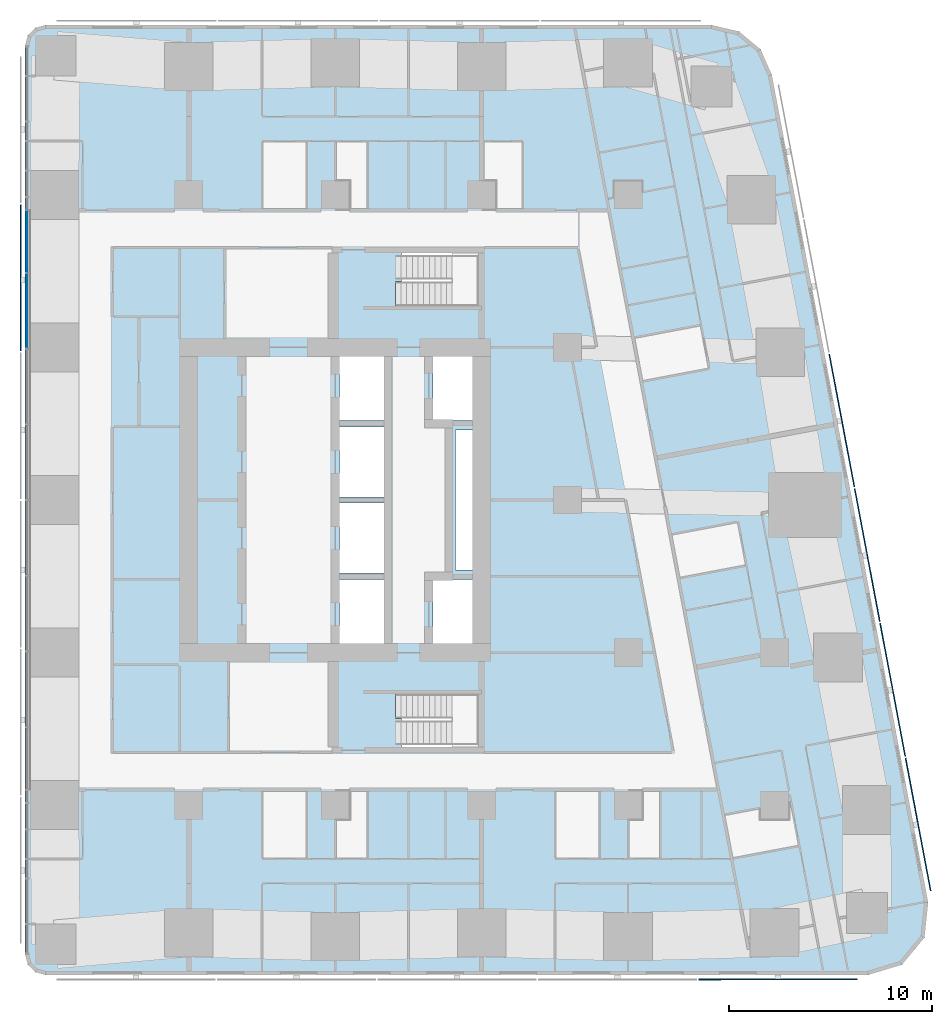
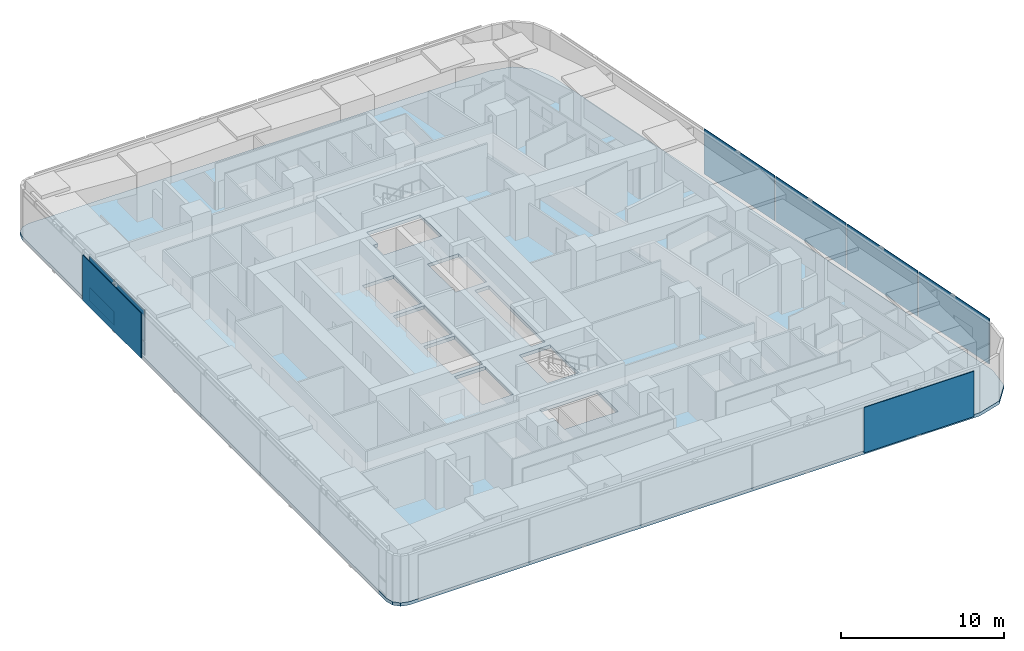
# One storey, part 8 of 19: 10 plates, 1 slab, 1 element without a shape of its own.
"""IFC4 building model written with IfcOpenShell, lengths in metres."""

from ifc_helpers import new_model, si_unit, direction, frame, origin, origin_2d, place, context, subcontext, project, spatial, polyline, rectangle, outline, extrude, material, layer, layer_set, type_object, element, aggregate, save


model = new_model("IFC4")

# Units and contexts
model_context = context("Model", 3, precision=1e-05, world=origin(), true_north=direction((0.0, 1.0)))
body_context = subcontext(model_context, "Body", "Model", "MODEL_VIEW")
ifc_project = project(units=[si_unit("LENGTHUNIT", "METRE"), si_unit("AREAUNIT", "SQUARE_METRE"), si_unit("VOLUMEUNIT", "CUBIC_METRE"), si_unit("PLANEANGLEUNIT", "RADIAN"), si_unit("MASSUNIT", "GRAM", prefix="KILO")], contexts=[model_context])

# Site, building, storey
site_placement = place(None, origin())
site = spatial("IfcSite", under=ifc_project, at=site_placement, CompositionType="ELEMENT")
building_placement = place(site_placement, origin())
building = spatial("IfcBuilding", under=site, at=building_placement, Name="Sheger Commons Tower", CompositionType="ELEMENT")
storey_placement = place(building_placement, frame((0.0, 0.0, 197.449951171875)))
storey = spatial("IfcBuildingStorey", under=building, at=storey_placement, Name="L50", CompositionType="ELEMENT", Elevation=197.449951171875)

# Curtain wall, plates
ifc_material_1 = material(Name="Black aluminium curtain wall, dark tinted glazing", Category="aluminium")
curtain_wall_type = type_object("IfcCurtainWallType", Name="CURTAIN WALL CW4 GALLERY", PredefinedType="USERDEFINED", material=ifc_material_1)
curtain_wall_placement = place(storey_placement, origin())
curtain_wall = element("IfcCurtainWall", 1, at=curtain_wall_placement, inside=storey, type_object=curtain_wall_type, Name="Curtain Wall Cw4 Gallery W1 L50", ObjectType="UNITISED CURTAIN WALL", PredefinedType="USERDEFINED")
ifc_material_2 = material(Name="Dark tinted double glazing", Category="glass")
ifc_layer_1 = layer(ifc_material_2, 0.031982421875)
ifc_layer_set_1 = layer_set([ifc_layer_1], Name="GLAZED PANEL 32")
plate_type_1 = type_object("IfcPlateType", Name="GLAZED PANEL 32", PredefinedType="CURTAIN_PANEL", material=ifc_layer_set_1)
plate_1_placement = place(storey_placement, frame((6.449951171875, 35.208984375, 0.065185546875), z_axis=(0.0, 0.0, 1.0), x_axis=(0.0, -1.0, 0.0)))
plate_1 = element("IfcPlate", 2, at=plate_1_placement, type_object=plate_type_1, Name="CW4 panel 7.1", PredefinedType="CURTAIN_PANEL", context=body_context, shape_type="SweptSolid", body=[
    extrude(rectangle(XDim=3.01708984375, YDim=0.031982421875, at=origin_2d()), origin(), (0.0, 0.0, 1.0), 1.00244140625),
])
plate_2_placement = place(storey_placement, frame((6.449951171875, 35.208984375, 1.13232421875), z_axis=(0.0, 0.0, 1.0), x_axis=(0.0, -1.0, 0.0)))
plate_2 = element("IfcPlate", 3, at=plate_2_placement, type_object=plate_type_1, Name="CW4 panel 7.2", PredefinedType="CURTAIN_PANEL", context=body_context, shape_type="SweptSolid", body=[
    extrude(rectangle(XDim=3.01708984375, YDim=0.031982421875, at=origin_2d()), origin(), (0.0, 0.0, 1.0), 2.302490234375),
])
plate_3_placement = place(storey_placement, frame((6.449951171875, 31.806884765625, 0.065185546875), z_axis=(0.0, 0.0, 1.0), x_axis=(0.0, -1.0, 0.0)))
plate_3 = element("IfcPlate", 4, at=plate_3_placement, type_object=plate_type_1, Name="CW4 panel 8.1", PredefinedType="CURTAIN_PANEL", context=body_context, shape_type="SweptSolid", body=[
    extrude(rectangle(XDim=3.656982421875, YDim=0.031982421875, at=origin_2d()), origin(), (0.0, 0.0, 1.0), 1.00244140625),
])
plate_4_placement = place(storey_placement, frame((6.449951171875, 31.806884765625, 1.13232421875), z_axis=(0.0, 0.0, 1.0), x_axis=(0.0, -1.0, 0.0)))
plate_4 = element("IfcPlate", 5, at=plate_4_placement, type_object=plate_type_1, Name="CW4 panel 8.2", PredefinedType="CURTAIN_PANEL", context=body_context, shape_type="SweptSolid", body=[
    extrude(rectangle(XDim=3.656982421875, YDim=0.031982421875, at=origin_2d()), origin(), (0.0, 0.0, 1.0), 2.302490234375),
])
aggregate(curtain_wall, [plate_1, plate_2, plate_3, plate_4])

# Slab
ifc_material_3 = material(Name="Concrete C35/45", Category="concrete")
ifc_layer_2 = layer(ifc_material_3, 0.25)
ifc_layer_set_2 = layer_set([ifc_layer_2], Name="SLAB FLOOR 250")
slab_type = type_object("IfcSlabType", Name="SLAB FLOOR 250", PredefinedType="FLOOR", material=ifc_layer_set_2)
slab_placement = place(storey_placement, frame((0.0, 0.0, -0.25)))
element("IfcSlab", 6, at=slab_placement, inside=storey, type_object=slab_type, Name="L50 floor slab", PredefinedType="FLOOR", context=body_context, shape_type="SweptSolid", body=[
    extrude(outline(polyline([(6.35009765625, 0.14990234375), (6.48388671875, -0.35009765625), (6.85009765625, -0.716064453125), (7.35009765625, -0.85009765625), (47.805908203125, -0.85009765625), (49.465087890625, -0.35009765625), (50.570068359375, 0.98388671875), (50.75390625, 2.70703125), (43.06591796875, 43.406982421875), (42.509033203125, 44.660888671875), (41.452880859375, 45.535888671875), (40.117919921875, 45.85009765625), (7.35009765625, 45.85009765625), (6.85009765625, 45.716064453125), (6.48388671875, 45.35009765625), (6.35009765625, 44.85009765625), (6.35009765625, 0.14990234375)]), holes=[polyline([(24.85009765625, 10.35009765625), (28.64990234375, 10.35009765625), (28.64990234375, 12.949951171875), (24.551025390625, 12.949951171875), (24.551025390625, 11.75), (24.85009765625, 11.75), (24.85009765625, 10.35009765625)]), polyline([(24.551025390625, 32.050048828125), (28.64990234375, 32.050048828125), (28.64990234375, 34.64990234375), (24.85009765625, 34.64990234375), (24.85009765625, 33.25), (24.551025390625, 33.25), (24.551025390625, 32.050048828125)]), polyline([(26.39990234375, 15.14990234375), (28.60009765625, 15.14990234375), (28.60009765625, 18.60009765625), (26.39990234375, 18.60009765625), (26.39990234375, 15.14990234375)]), polyline([(26.39990234375, 26.39990234375), (28.60009765625, 26.39990234375), (28.60009765625, 29.85009765625), (26.39990234375, 29.85009765625), (26.39990234375, 26.39990234375)]), polyline([(21.800048828125, 15.14990234375), (24.0, 15.14990234375), (24.0, 18.60009765625), (21.800048828125, 18.60009765625), (21.800048828125, 15.14990234375)]), polyline([(21.800048828125, 18.89990234375), (24.0, 18.89990234375), (24.0, 22.35009765625), (21.800048828125, 22.35009765625), (21.800048828125, 18.89990234375)]), polyline([(21.800048828125, 22.64990234375), (24.0, 22.64990234375), (24.0, 26.10009765625), (21.800048828125, 26.10009765625), (21.800048828125, 22.64990234375)]), polyline([(21.800048828125, 26.39990234375), (24.0, 26.39990234375), (24.0, 29.85009765625), (21.800048828125, 29.85009765625), (21.800048828125, 26.39990234375)]), polyline([(27.5, 19.050048828125), (28.5, 19.050048828125), (28.5, 25.949951171875), (27.5, 25.949951171875), (27.5, 19.050048828125)])]), origin(), (0.0, 0.0, 1.0), 0.25),
])

# Plates
ifc_material_4 = material(Name="Perforated black anodised aluminium screen", Category="aluminium")
ifc_layer_3 = layer(ifc_material_4, 0.050048828125)
ifc_layer_set_3 = layer_set([ifc_layer_3], Name="SOLAR SCREEN SCREEN-1")
plate_type_2 = type_object("IfcPlateType", Name="SOLAR SCREEN SCREEN-1", PredefinedType="USERDEFINED", material=ifc_layer_set_3)
plate_5_placement = place(storey_placement, frame((43.360107421875, -1.074951171875, 0.050048828125), z_axis=(0.0, 0.0, 1.0), x_axis=(1.0, 0.0, 0.0)))
element("IfcPlate", 7, at=plate_5_placement, inside=storey, type_object=plate_type_2, Name="Perforated solar screen panel", ObjectType="SCREEN", PredefinedType="USERDEFINED", context=body_context, shape_type="SweptSolid", body=[
    extrude(rectangle(XDim=7.791015625, YDim=0.050048828125, at=origin_2d()), origin(), (0.0, 0.0, 1.0), 3.39990234375),
])
for number, where, z_axis, x_axis, name in (
    (8, (50.257080078125, 6.550048828125, 0.050048828125), (0.0, 0.0, 1.0), (-0.185615165645, 0.982622516678, 0.0), "Perforated solar screen panel"),
    (9, (49.007080078125, 13.1689453125, 0.050048828125), (0.0, 0.0, 1.0), (-0.185615165645, 0.982622516678, 0.0), "Perforated solar screen panel"),
    (10, (47.756103515625, 19.7890625, 0.050048828125), (0.0, 0.0, 1.0), (-0.185615165645, 0.982622516678, 0.0), "Perforated solar screen panel"),
    (11, (46.506103515625, 26.408935546875, 0.050048828125), (0.0, 0.0, 1.0), (-0.185615165645, 0.982622516678, 0.0), "Perforated solar screen panel"),
):
    element("IfcPlate", number, at=place(storey_placement, frame(where, z_axis=z_axis, x_axis=x_axis)), inside=storey, type_object=plate_type_2, Name=name, ObjectType="SCREEN", PredefinedType="USERDEFINED", context=body_context, shape_type="SweptSolid", body=[
        extrude(rectangle(XDim=6.636962890625, YDim=0.050048828125, at=origin_2d()), origin(), (0.0, 0.0, 1.0), 3.39990234375),
    ])
plate_6_placement = place(storey_placement, frame((6.125, 33.425048828125, 0.050048828125), z_axis=(0.0, 0.0, 1.0), x_axis=(0.0, -1.0, 0.0)))
element("IfcPlate", 12, at=plate_6_placement, inside=storey, type_object=plate_type_2, Name="Perforated solar screen panel", ObjectType="SCREEN", PredefinedType="USERDEFINED", context=body_context, shape_type="SweptSolid", body=[
    extrude(rectangle(XDim=7.18310546875, YDim=0.050048828125, at=origin_2d()), origin(), (0.0, 0.0, 1.0), 3.39990234375),
])

save(model, "model.ifc")
